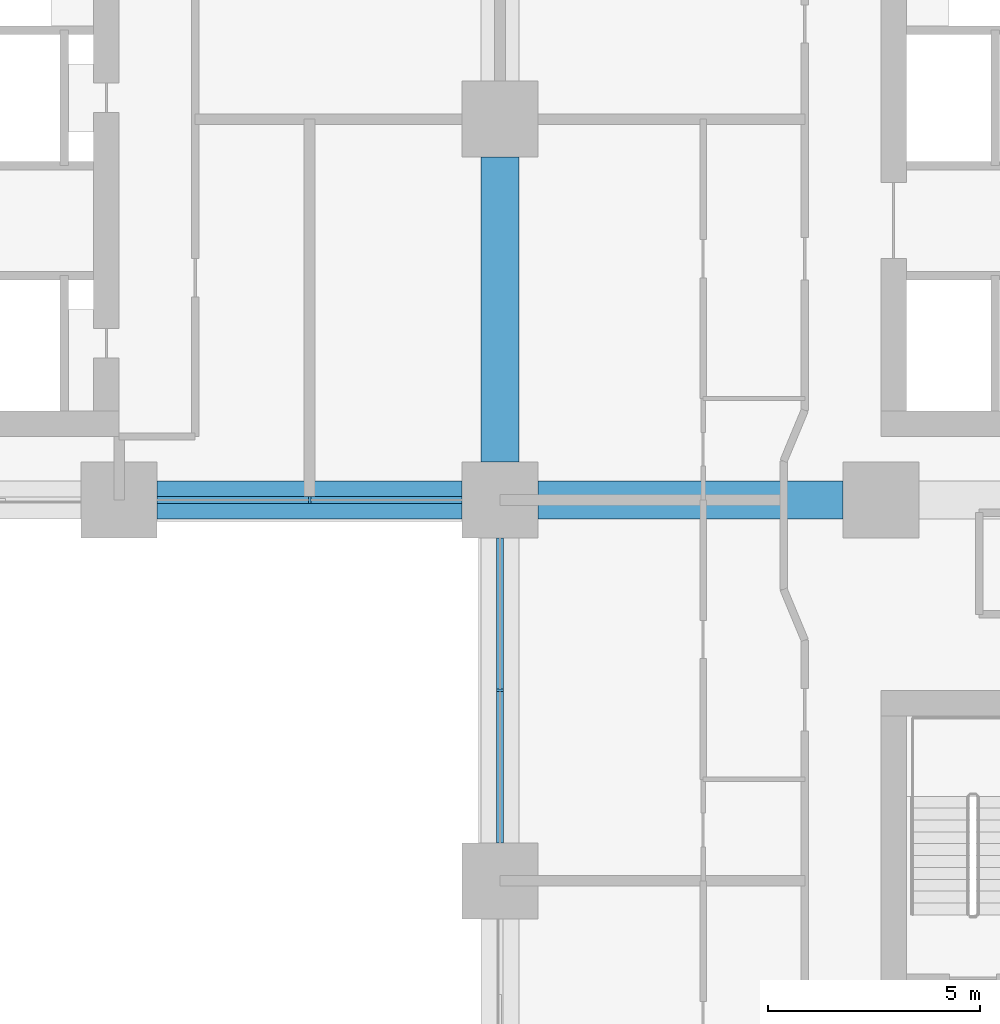
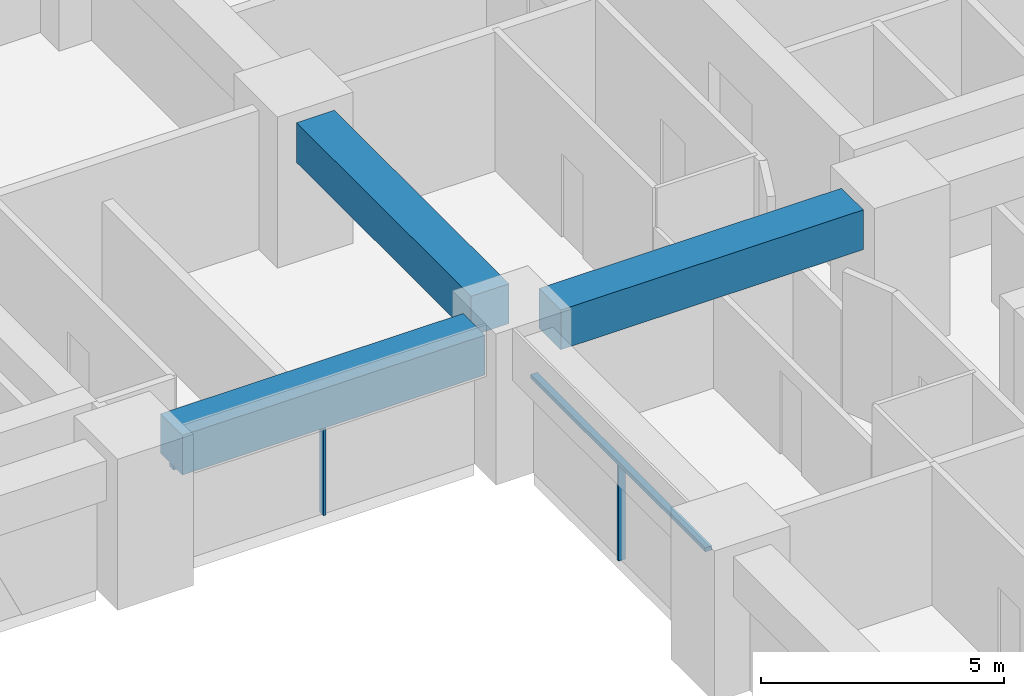
# One storey, part 3 of 26: 4 members, 3 beams, 2 elements without a shape of their own.
"""IFC4 building model written with IfcOpenShell, lengths in metres."""

from ifc_helpers import new_model, si_unit, direction, frame, origin, origin_2d, place, context, subcontext, project, spatial, rectangle, extrude, material, material_profile, profile_set, type_object, element, aggregate, save


model = new_model("IFC4")

# Units and contexts
model_context = context("Model", 3, precision=1e-05, world=origin(), true_north=direction((0.0, 1.0)))
body_context = subcontext(model_context, "Body", "Model", "MODEL_VIEW")
ifc_project = project(units=[si_unit("LENGTHUNIT", "METRE"), si_unit("AREAUNIT", "SQUARE_METRE"), si_unit("VOLUMEUNIT", "CUBIC_METRE"), si_unit("PLANEANGLEUNIT", "RADIAN"), si_unit("MASSUNIT", "GRAM", prefix="KILO")], contexts=[model_context])

# Site, building, storey
site_placement = place(None, origin())
site = spatial("IfcSite", under=ifc_project, at=site_placement, CompositionType="ELEMENT")
building_placement = place(site_placement, origin())
building = spatial("IfcBuilding", under=site, at=building_placement, Name="Tessera Arch", CompositionType="ELEMENT")
storey_placement = place(building_placement, frame((0.0, 0.0, 96.800048828125)))
storey = spatial("IfcBuildingStorey", under=building, at=storey_placement, Name="L22", CompositionType="ELEMENT", Elevation=96.800048828125)

# Curtain wall, member
ifc_material_1 = material(Name="CW1 curtain wall")
curtain_wall_type = type_object("IfcCurtainWallType", Name="CW1 curtain wall", PredefinedType="NOTDEFINED", material=ifc_material_1)
curtain_wall_1_placement = place(storey_placement, origin())
curtain_wall_1 = element("IfcCurtainWall", 1, at=curtain_wall_1_placement, inside=storey, type_object=curtain_wall_type, Name="CW1 curtain wall S27.0/2 L22", PredefinedType="NOTDEFINED")
ifc_material_2 = material(Name="Anodised aluminium pale metal", Category="aluminium")
ifc_material_profile_1 = material_profile(ifc_material_2, rectangle(XDim=0.159912109375, YDim=0.06005859375, at=origin_2d()), Name="AL 60x160")
ifc_profile_set_1 = profile_set([ifc_material_profile_1], Name="Anodised aluminium pale metal")
member_type_1 = type_object("IfcMemberType", Name="CW1 mullion", PredefinedType="MULLION", material=ifc_profile_set_1)
member_1_placement = place(storey_placement, frame((22.5, 27.0, 0.0), z_axis=(0.0, 0.0, 1.0), x_axis=(0.0, 1.0, 0.0)))
member_1 = element("IfcMember", 2, at=member_1_placement, type_object=member_type_1, Name="CW1 mullion S27.0/2 1", PredefinedType="MULLION", context=body_context, shape_type="SweptSolid", body=[
    extrude(rectangle(XDim=0.159912109375, YDim=0.06005859375, at=origin_2d()), origin(), (0.0, 0.0, 1.0), 2.39990234375),
])

curtain_wall_2_placement = place(storey_placement, origin())
curtain_wall_2 = element("IfcCurtainWall", 3, at=curtain_wall_2_placement, inside=storey, type_object=curtain_wall_type, Name="CW1 curtain wall W27.0/0 L22", PredefinedType="NOTDEFINED")
member_2_placement = place(storey_placement, frame((27.0, 22.5, 0.0), z_axis=(0.0, 0.0, 1.0), x_axis=(1.0, 0.0, 0.0)))
member_2 = element("IfcMember", 4, at=member_2_placement, type_object=member_type_1, Name="CW1 mullion W27.0/0 1", PredefinedType="MULLION", context=body_context, shape_type="SweptSolid", body=[
    extrude(rectangle(XDim=0.159912109375, YDim=0.06005859375, at=origin_2d()), origin(), (0.0, 0.0, 1.0), 2.39990234375),
])

# Member
ifc_material_3 = material(Name="Anodised aluminium pale metal", Category="aluminium")
ifc_material_profile_2 = material_profile(ifc_material_3, rectangle(XDim=0.159912109375, YDim=0.10009765625, at=origin_2d()), Name="AL 160x100")
ifc_profile_set_2 = profile_set([ifc_material_profile_2], Name="Anodised aluminium pale metal")
member_type_2 = type_object("IfcMemberType", Name="CW1 transom", PredefinedType="USERDEFINED", material=ifc_profile_set_2)
member_3_placement = place(storey_placement, frame((18.89990234375, 27.0, 2.449951171875), z_axis=(1.0, 0.0, 0.0), x_axis=(0.0, 1.0, 0.0)))
member_3 = element("IfcMember", 5, at=member_3_placement, type_object=member_type_2, Name="CW1 transom S27.0/2 1.1", ObjectType="TRANSOM", PredefinedType="USERDEFINED", context=body_context, shape_type="SweptSolid", body=[
    extrude(rectangle(XDim=0.159912109375, YDim=0.10009765625, at=origin_2d()), origin(), (0.0, 0.0, 1.0), 7.2001953125),
])

aggregate(curtain_wall_1, [member_1, member_3])

member_4_placement = place(storey_placement, frame((27.0, 26.10009765625, 2.449951171875), z_axis=(0.0, -1.0, 0.0), x_axis=(1.0, 0.0, 0.0)))
member_4 = element("IfcMember", 6, at=member_4_placement, type_object=member_type_2, Name="CW1 transom W27.0/0 1.1", ObjectType="TRANSOM", PredefinedType="USERDEFINED", context=body_context, shape_type="SweptSolid", body=[
    extrude(rectangle(XDim=0.159912109375, YDim=0.10009765625, at=origin_2d()), origin(), (0.0, 0.0, 1.0), 7.2001953125),
])

aggregate(curtain_wall_2, [member_2, member_4])

# Beams
ifc_material_4 = material(Name="Concrete C80/95", Category="concrete")
ifc_material_profile_3 = material_profile(ifc_material_4, rectangle(XDim=0.89990234375, YDim=1.0, at=origin_2d()), Name="RC spandrel beam 900 x 1000 Concrete C80/95")
ifc_profile_set_3 = profile_set([ifc_material_profile_3], Name="Concrete C80/95")
beam_type = type_object("IfcBeamType", Name="RC spandrel beam 900 x 1000 Concrete C80/95", PredefinedType="BEAM", material=ifc_profile_set_3)
for number, where, z_axis, x_axis, name in (
    (7, (18.89990234375, 27.0, 3.0), (1.0, 0.0, 0.0), (0.0, 1.0, 0.0), "Spandrel beam L22 S27.0/2"),
    (8, (27.0, 27.89990234375, 3.0), (0.0, 1.0, 0.0), (-1.0, 0.0, 0.0), "Interface beam L22 I0C4D-C4E"),
    (9, (27.89990234375, 27.0, 3.0), (1.0, 0.0, 0.0), (0.0, 1.0, 0.0), "Interface beam L22 I1C4D-C5D"),
):
    element("IfcBeam", number, at=place(storey_placement, frame(where, z_axis=z_axis, x_axis=x_axis)), inside=storey, type_object=beam_type, Name=name, PredefinedType="BEAM", context=body_context, shape_type="SweptSolid", body=[
        extrude(rectangle(XDim=0.89990234375, YDim=1.0, at=origin_2d()), origin(), (0.0, 0.0, 1.0), 7.2001953125),
    ])

save(model, "model.ifc")
